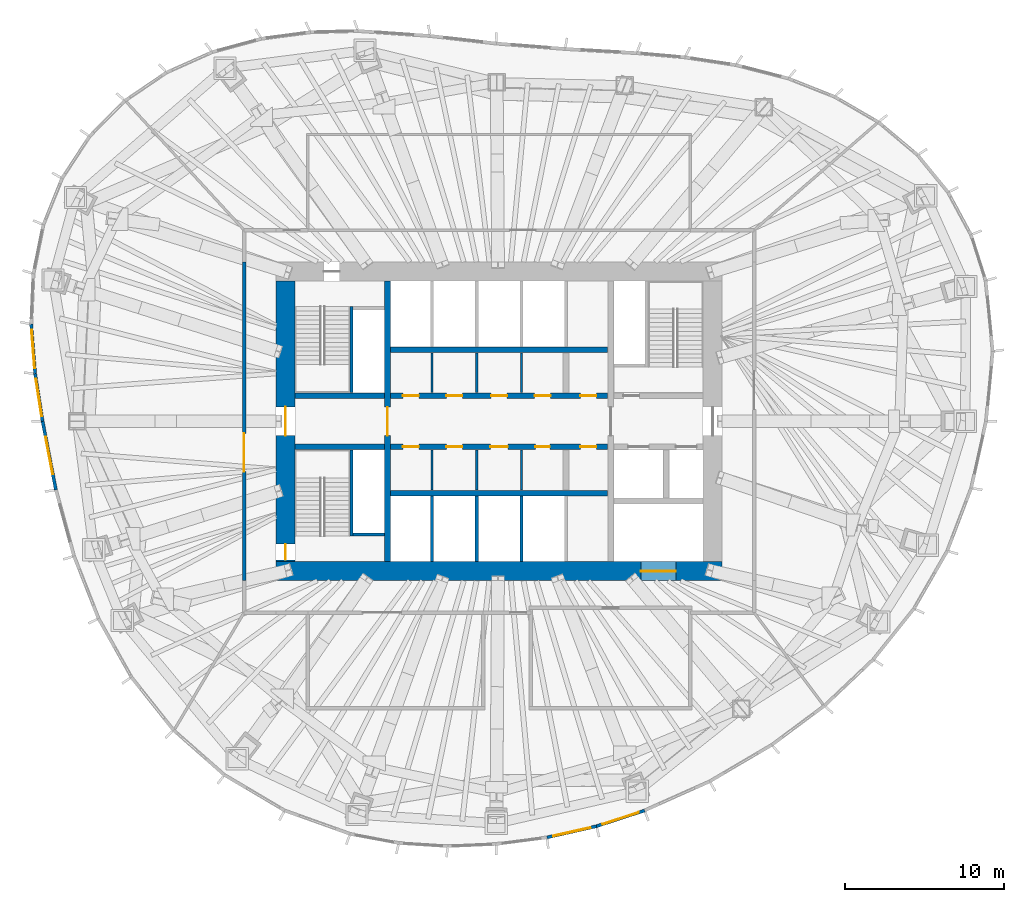
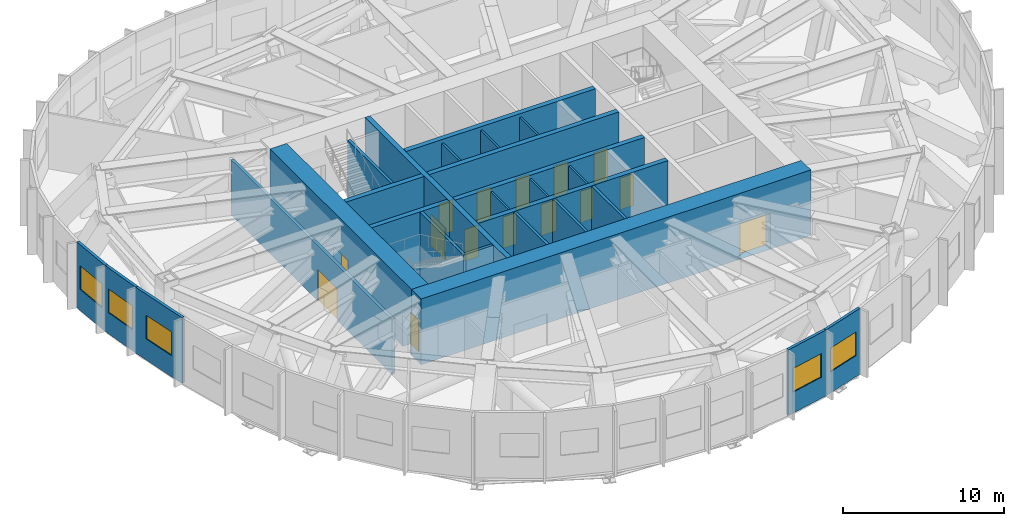
# One storey, part 7 of 12: 27 walls, 15 doors, 5 windows, 20 openings.
"""IFC4 building model written with IfcOpenShell, lengths in metres."""

from ifc_helpers import new_model, si_unit, direction, frame, frame_2d, origin, place, context, subcontext, project, spatial, rectangle, extrude, material, layer, layer_set, type_object, element, fill, save


model = new_model("IFC4")

# Units and contexts
model_context = context("Model", 3, precision=1e-05, world=origin(), true_north=direction((0.0, 1.0)))
body_context = subcontext(model_context, "Body", "Model", "MODEL_VIEW")
ifc_project = project(units=[si_unit("LENGTHUNIT", "METRE"), si_unit("AREAUNIT", "SQUARE_METRE"), si_unit("VOLUMEUNIT", "CUBIC_METRE"), si_unit("PLANEANGLEUNIT", "RADIAN"), si_unit("MASSUNIT", "GRAM", prefix="KILO")], contexts=[model_context])

# Site, building, storey
site_placement = place(None, origin())
site = spatial("IfcSite", under=ifc_project, at=site_placement, CompositionType="ELEMENT")
building_placement = place(site_placement, origin())
building = spatial("IfcBuilding", under=site, at=building_placement, Name="Ghaith Harvest Tower", CompositionType="ELEMENT")
storey_placement = place(building_placement, frame((0.0, 0.0, 189.800048828125)))
storey = spatial("IfcBuildingStorey", under=building, at=storey_placement, Name="L41", CompositionType="ELEMENT", Elevation=189.800048828125)

# Wall, opening, door
ifc_material_1 = material(Name="Concrete blockwork, 1-hour", Category="masonry")
ifc_layer_1 = layer(ifc_material_1, 0.215087890625)
ifc_layer_set_1 = layer_set([ifc_layer_1], Name="BLOCKWORK WALL 215")
wall_type_1 = type_object("IfcWallType", Name="BLOCKWORK WALL 215", PredefinedType="PARTITIONING", material=ifc_layer_set_1)
wall_1_placement = place(storey_placement, frame((-16.0, 10.0, 0.0), z_axis=(0.0, 0.0, 1.0), x_axis=(0.0, -1.0, 0.0)))
wall_1 = element("IfcWall", 1, at=wall_1_placement, inside=storey, type_object=wall_type_1, Name="Plant room wall L41", PredefinedType="PARTITIONING", context=body_context, shape_type="SweptSolid", body=[
    extrude(rectangle(XDim=20.0, YDim=0.215087890625, at=frame_2d((10.0, 0.0))), origin(), (0.0, 0.0, 1.0), 4.199951171875),
])
opening_1_placement = place(wall_1_placement, frame((10.75, 0.0, 0.0)))
opening_1 = element("IfcOpeningElement", 2, at=opening_1_placement, cuts=wall_1, Name="Opening 41-027", PredefinedType="OPENING", context=body_context, shape_type="SweptSolid", body=[
    extrude(rectangle(XDim=2.39990234375, YDim=2.39990234375, at=frame_2d((1.199951171875, 1.199951171875))), frame((0.0, 0.11767578125, 0.0), z_axis=(0.0, -1.0, 0.0), x_axis=(1.0, 0.0, 0.0)), (0.0, 0.0, 1.0), 0.235107421875),
])
ifc_material_2 = material(Name="Timber door", Category="wood")
door_type_1 = type_object("IfcDoorType", Name="D10 PLANT PAIR 2400x2400", OperationType="DOUBLE_DOOR_SINGLE_SWING", PredefinedType="DOOR", material=ifc_material_2)
door_1_placement = place(opening_1_placement, origin())
door_1 = element("IfcDoor", 3, at=door_1_placement, inside=storey, type_object=door_type_1, Name="Mechanical plant room west door", OperationType="DOUBLE_DOOR_SINGLE_SWING", OverallHeight=2.39990234375, OverallWidth=2.39990234375, PredefinedType="DOOR", context=body_context, shape_type="SweptSolid", body=[
    extrude(rectangle(XDim=2.39990234375, YDim=2.39990234375, at=frame_2d((1.199951171875, 1.199951171875))), frame((0.0, 0.02490234375, 0.0), z_axis=(0.0, -1.0, 0.0), x_axis=(1.0, 0.0, 0.0)), (0.0, 0.0, 1.0), 0.050048828125),
])
fill(opening_1, door_1)

# Walls
ifc_material_3 = material(Name="Concrete blockwork, fair-faced", Category="masonry")
ifc_layer_2 = layer(ifc_material_3, 0.139892578125)
ifc_layer_set_2 = layer_set([ifc_layer_2], Name="CORE PARTITION 140")
wall_type_2 = type_object("IfcWallType", Name="CORE PARTITION 140", PredefinedType="PARTITIONING", material=ifc_layer_set_2)
for number, where, z_axis, x_axis, name in (
    (4, (-4.199951171875, 1.800048828125, 0.0), (0.0, 0.0, 1.0), (0.0, 1.0, 0.0), "Core partition L41"),
    (5, (-1.39990234375, 1.800048828125, 0.0), (0.0, 0.0, 1.0), (0.0, 1.0, 0.0), "Core partition L41"),
    (6, (1.39990234375, 1.800048828125, 0.0), (0.0, 0.0, 1.0), (0.0, 1.0, 0.0), "Core partition L41"),
    (7, (-4.199951171875, -1.800048828125, 0.0), (0.0, 0.0, 1.0), (0.0, -1.0, 0.0), "Core partition L41"),
    (8, (-1.39990234375, -1.800048828125, 0.0), (0.0, 0.0, 1.0), (0.0, -1.0, 0.0), "Core partition L41"),
    (9, (1.39990234375, -1.800048828125, 0.0), (0.0, 0.0, 1.0), (0.0, -1.0, 0.0), "Core partition L41"),
):
    element("IfcWall", number, at=place(storey_placement, frame(where, z_axis=z_axis, x_axis=x_axis)), inside=storey, type_object=wall_type_2, Name=name, PredefinedType="PARTITIONING", context=body_context, shape_type="SweptSolid", body=[
        extrude(rectangle(XDim=2.5, YDim=0.139892578125, at=frame_2d((1.25, 0.0))), origin(), (0.0, 0.0, 1.0), 4.75),
    ])

# Wall, opening, door
ifc_material_4 = material(Name="Concrete C60/75", Category="concrete")
ifc_layer_3 = layer(ifc_material_4, 1.199951171875)
ifc_layer_set_3 = layer_set([ifc_layer_3], Name="CORE WALL CW1200 C60")
wall_type_3 = type_object("IfcWallType", Name="CORE WALL CW1200 C60", PredefinedType="SHEAR", material=ifc_layer_set_3)
wall_2_placement = place(storey_placement, frame((-14.0, -9.39990234375, 0.0), z_axis=(0.0, 0.0, 1.0), x_axis=(1.0, 0.0, 0.0)))
wall_2 = element("IfcWall", 10, at=wall_2_placement, inside=storey, type_object=wall_type_3, Name="Core wall S L41", PredefinedType="SHEAR", context=body_context, shape_type="SweptSolid", body=[
    extrude(rectangle(XDim=28.0, YDim=1.199951171875, at=frame_2d((14.0, 0.0))), origin(), (0.0, 0.0, 1.0), 5.0),
])
opening_2_placement = place(wall_2_placement, frame((22.89990234375, 0.0, 0.0)))
opening_2 = element("IfcOpeningElement", 11, at=opening_2_placement, cuts=wall_2, Name="Opening 41-020", PredefinedType="OPENING", context=body_context, shape_type="SweptSolid", body=[
    extrude(rectangle(XDim=2.199951171875, YDim=2.699951171875, at=frame_2d((1.10009765625, 1.35009765625))), frame((0.0, 0.60986328125, 0.0), z_axis=(0.0, -1.0, 0.0), x_axis=(1.0, 0.0, 0.0)), (0.0, 0.0, 1.0), 1.219970703125),
])
ifc_material_5 = material(Name="Steel fire door", Category="steel")
door_type_2 = type_object("IfcDoorType", Name="LD3 LANDING 2200x2700", OperationType="DOUBLE_DOOR_SLIDING", PredefinedType="DOOR", material=ifc_material_5)
door_2_placement = place(opening_2_placement, origin())
door_2 = element("IfcDoor", 12, at=door_2_placement, inside=storey, type_object=door_type_2, Name="Landing door, goods lift GL1", OperationType="DOUBLE_DOOR_SLIDING", OverallHeight=2.699951171875, OverallWidth=2.199951171875, PredefinedType="DOOR", context=body_context, shape_type="SweptSolid", body=[
    extrude(rectangle(XDim=2.199951171875, YDim=2.699951171875, at=frame_2d((1.10009765625, 1.35009765625))), frame((0.0, 0.02490234375, 0.0), z_axis=(0.0, -1.0, 0.0), x_axis=(1.0, 0.0, 0.0)), (0.0, 0.0, 1.0), 0.050048828125),
])
fill(opening_2, door_2)

# Wall, openings, doors
wall_3_placement = place(storey_placement, frame((-13.39990234375, 8.800048828125, 0.0), z_axis=(0.0, 0.0, 1.0), x_axis=(0.0, -1.0, 0.0)))
wall_3 = element("IfcWall", 13, at=wall_3_placement, inside=storey, type_object=wall_type_3, Name="Core wall W L41", PredefinedType="SHEAR", context=body_context, shape_type="SweptSolid", body=[
    extrude(rectangle(XDim=17.60009765625, YDim=1.199951171875, at=frame_2d((8.800048828125, 0.0))), origin(), (0.0, 0.0, 1.0), 5.0),
])
opening_3_placement = place(wall_3_placement, frame((7.89990234375, 0.0, 0.0)))
opening_3 = element("IfcOpeningElement", 14, at=opening_3_placement, cuts=wall_3, Name="Opening 41-001", PredefinedType="OPENING", context=body_context, shape_type="SweptSolid", body=[
    extrude(rectangle(XDim=1.800048828125, YDim=2.39990234375, at=frame_2d((0.89990234375, 1.199951171875))), frame((0.0, 0.60986328125, 0.0), z_axis=(0.0, -1.0, 0.0), x_axis=(1.0, 0.0, 0.0)), (0.0, 0.0, 1.0), 1.219970703125),
])
opening_4_placement = place(wall_3_placement, frame((16.5, 0.0, 0.0)))
opening_4 = element("IfcOpeningElement", 15, at=opening_4_placement, cuts=wall_3, Name="Opening 41-006", PredefinedType="OPENING", context=body_context, shape_type="SweptSolid", body=[
    extrude(rectangle(XDim=1.0, YDim=2.39990234375, at=frame_2d((0.5, 1.199951171875))), frame((0.0, 0.60986328125, 0.0), z_axis=(0.0, -1.0, 0.0), x_axis=(1.0, 0.0, 0.0)), (0.0, 0.0, 1.0), 1.219970703125),
])
ifc_material_6 = material(Name="Steel fire door", Category="steel")
door_type_3 = type_object("IfcDoorType", Name="D3 FD90 1000x2400", OperationType="SINGLE_SWING_LEFT", PredefinedType="DOOR", material=ifc_material_6)
door_3_placement = place(opening_4_placement, origin())
door_3 = element("IfcDoor", 16, at=door_3_placement, inside=storey, type_object=door_type_3, Name="Stair ST3 door", OperationType="SINGLE_SWING_RIGHT", OverallHeight=2.39990234375, OverallWidth=1.0, PredefinedType="DOOR", context=body_context, shape_type="SweptSolid", body=[
    extrude(rectangle(XDim=1.0, YDim=2.39990234375, at=frame_2d((0.5, 1.199951171875))), frame((0.0, 0.02490234375, 0.0), z_axis=(0.0, -1.0, 0.0), x_axis=(1.0, 0.0, 0.0)), (0.0, 0.0, 1.0), 0.050048828125),
])
fill(opening_4, door_3)
ifc_material_7 = material(Name="Steel fire door", Category="steel")
door_type_4 = type_object("IfcDoorType", Name="D4 FD90 PAIR 1800x2400", OperationType="DOUBLE_DOOR_SINGLE_SWING", PredefinedType="DOOR", material=ifc_material_7)
door_4_placement = place(opening_3_placement, origin())
door_4 = element("IfcDoor", 17, at=door_4_placement, inside=storey, type_object=door_type_4, Name="West lobby doors", OperationType="DOUBLE_DOOR_SINGLE_SWING", OverallHeight=2.39990234375, OverallWidth=1.800048828125, PredefinedType="DOOR", context=body_context, shape_type="SweptSolid", body=[
    extrude(rectangle(XDim=1.800048828125, YDim=2.39990234375, at=frame_2d((0.89990234375, 1.199951171875))), frame((0.0, 0.02490234375, 0.0), z_axis=(0.0, -1.0, 0.0), x_axis=(1.0, 0.0, 0.0)), (0.0, 0.0, 1.0), 0.050048828125),
])
fill(opening_3, door_4)

# Walls
ifc_material_8 = material(Name="Concrete blockwork, 2-hour", Category="masonry")
ifc_layer_4 = layer(ifc_material_8, 0.199951171875)
ifc_layer_set_4 = layer_set([ifc_layer_4], Name="LIFT SHAFT WALL 200")
wall_type_4 = type_object("IfcWallType", Name="LIFT SHAFT WALL 200", PredefinedType="PARTITIONING", material=ifc_layer_set_4)
for number, where, z_axis, x_axis, name in (
    (18, (-4.199951171875, -4.699951171875, 0.0), (0.0, 0.0, 1.0), (0.0, -1.0, 0.0), "Lift shaft wall L41"),
    (19, (-1.39990234375, -4.699951171875, 0.0), (0.0, 0.0, 1.0), (0.0, -1.0, 0.0), "Lift shaft wall L41"),
    (20, (1.39990234375, -4.699951171875, 0.0), (0.0, 0.0, 1.0), (0.0, -1.0, 0.0), "Lift shaft wall L41"),
):
    element("IfcWall", number, at=place(storey_placement, frame(where, z_axis=z_axis, x_axis=x_axis)), inside=storey, type_object=wall_type_4, Name=name, PredefinedType="PARTITIONING", context=body_context, shape_type="SweptSolid", body=[
        extrude(rectangle(XDim=4.10009765625, YDim=0.199951171875, at=frame_2d((2.050048828125, 0.0))), origin(), (0.0, 0.0, 1.0), 5.0),
    ])

# Wall, opening, window
ifc_material_9 = material(Name="Steel, black insulated metal cladding panel", Category="steel")
ifc_layer_5 = layer(ifc_material_9, 0.199951171875)
ifc_layer_set_5 = layer_set([ifc_layer_5], Name="PLANT ENCLOSURE WALL 200")
wall_type_5 = type_object("IfcWallType", Name="PLANT ENCLOSURE WALL 200", PredefinedType="SOLIDWALL", material=ifc_layer_set_5)
wall_4_placement = place(storey_placement, frame((-29.3583984375, 6.092041015625, 0.0), z_axis=(0.0, 0.0, 1.0), x_axis=(0.079436660972, -0.996839915379, 0.0)))
wall_4 = element("IfcWall", 21, at=wall_4_placement, inside=storey, type_object=wall_type_5, Name="Plant enclosure wall 10.2 L41", PredefinedType="SOLIDWALL", context=body_context, shape_type="SweptSolid", body=[
    extrude(rectangle(XDim=3.11328125, YDim=0.199951171875, at=frame_2d((1.556640625, 0.0))), origin(), (0.0, 0.0, 1.0), 5.0),
])
opening_5_placement = place(wall_4_placement, frame((0.356689453125, 0.0, 1.60009765625)))
opening_5 = element("IfcOpeningElement", 22, at=opening_5_placement, cuts=wall_4, Name="Opening LV1", PredefinedType="OPENING", context=body_context, shape_type="SweptSolid", body=[
    extrude(rectangle(XDim=2.39990234375, YDim=1.800048828125, at=frame_2d((1.199951171875, 0.89990234375))), frame((0.0, 0.10986328125, 0.0), z_axis=(0.0, -1.0, 0.0), x_axis=(1.0, 0.0, 0.0)), (0.0, 0.0, 1.0), 0.219970703125),
])
ifc_material_10 = material(Name="Aluminium louvre, black", Category="aluminium")
window_type = type_object("IfcWindowType", Name="LOUVRE L1 2400x1800", PartitioningType="SINGLE_PANEL", PredefinedType="WINDOW", material=ifc_material_10)
window_1_placement = place(opening_5_placement, origin())
window_1 = element("IfcWindow", 23, at=window_1_placement, inside=storey, type_object=window_type, Name="Plant louvre 10.2 L41", OverallHeight=1.800048828125, OverallWidth=2.39990234375, PartitioningType="SINGLE_PANEL", PredefinedType="WINDOW", context=body_context, shape_type="SweptSolid", body=[
    extrude(rectangle(XDim=2.39990234375, YDim=1.800048828125, at=frame_2d((1.199951171875, 0.89990234375))), frame((0.0, 0.030029296875, 0.0), z_axis=(0.0, -1.0, 0.0), x_axis=(1.0, 0.0, 0.0)), (0.0, 0.0, 1.0), 0.06005859375),
])
fill(opening_5, window_1)

wall_5_placement = place(storey_placement, frame((-29.111083984375, 2.988525390625, 0.0), z_axis=(0.0, 0.0, 1.0), x_axis=(0.155270461843, -0.987871997619, 0.0)))
wall_5 = element("IfcWall", 24, at=wall_5_placement, inside=storey, type_object=wall_type_5, Name="Plant enclosure wall 10.3 L41", PredefinedType="SOLIDWALL", context=body_context, shape_type="SweptSolid", body=[
    extrude(rectangle(XDim=3.025146484375, YDim=0.199951171875, at=frame_2d((1.5126953125, 0.0))), origin(), (0.0, 0.0, 1.0), 5.0),
])
opening_6_placement = place(wall_5_placement, frame((0.3125, 0.0, 1.60009765625)))
opening_6 = element("IfcOpeningElement", 25, at=opening_6_placement, cuts=wall_5, Name="Opening LV1", PredefinedType="OPENING", context=body_context, shape_type="SweptSolid", body=[
    extrude(rectangle(XDim=2.39990234375, YDim=1.800048828125, at=frame_2d((1.199951171875, 0.89990234375))), frame((0.0, 0.10986328125, 0.0), z_axis=(0.0, -1.0, 0.0), x_axis=(1.0, 0.0, 0.0)), (0.0, 0.0, 1.0), 0.219970703125),
])
window_2_placement = place(opening_6_placement, origin())
window_2 = element("IfcWindow", 26, at=window_2_placement, inside=storey, type_object=window_type, Name="Plant louvre 10.3 L41", OverallHeight=1.800048828125, OverallWidth=2.39990234375, PartitioningType="SINGLE_PANEL", PredefinedType="WINDOW", context=body_context, shape_type="SweptSolid", body=[
    extrude(rectangle(XDim=2.39990234375, YDim=1.800048828125, at=frame_2d((1.199951171875, 0.89990234375))), frame((0.0, 0.030029296875, 0.0), z_axis=(0.0, -1.0, 0.0), x_axis=(1.0, 0.0, 0.0)), (0.0, 0.0, 1.0), 0.06005859375),
])
fill(opening_6, window_2)

wall_6_placement = place(storey_placement, frame((-28.641357421875, 0.0, 0.0), z_axis=(0.0, 0.0, 1.0), x_axis=(0.190143198286, -0.981756367, 0.0)))
wall_6 = element("IfcWall", 27, at=wall_6_placement, inside=storey, type_object=wall_type_5, Name="Plant enclosure wall 11.1 L41", PredefinedType="SOLIDWALL", context=body_context, shape_type="SweptSolid", body=[
    extrude(rectangle(XDim=4.380859375, YDim=0.199951171875, at=frame_2d((2.1904296875, 0.0))), origin(), (0.0, 0.0, 1.0), 5.0),
])
opening_7_placement = place(wall_6_placement, frame((0.990478515625, 0.0, 1.60009765625)))
opening_7 = element("IfcOpeningElement", 28, at=opening_7_placement, cuts=wall_6, Name="Opening LV1", PredefinedType="OPENING", context=body_context, shape_type="SweptSolid", body=[
    extrude(rectangle(XDim=2.39990234375, YDim=1.800048828125, at=frame_2d((1.199951171875, 0.89990234375))), frame((0.0, 0.10986328125, 0.0), z_axis=(0.0, -1.0, 0.0), x_axis=(1.0, 0.0, 0.0)), (0.0, 0.0, 1.0), 0.219970703125),
])
window_3_placement = place(opening_7_placement, origin())
window_3 = element("IfcWindow", 29, at=window_3_placement, inside=storey, type_object=window_type, Name="Plant louvre 11.1 L41", OverallHeight=1.800048828125, OverallWidth=2.39990234375, PartitioningType="SINGLE_PANEL", PredefinedType="WINDOW", context=body_context, shape_type="SweptSolid", body=[
    extrude(rectangle(XDim=2.39990234375, YDim=1.800048828125, at=frame_2d((1.199951171875, 0.89990234375))), frame((0.0, 0.030029296875, 0.0), z_axis=(0.0, -1.0, 0.0), x_axis=(1.0, 0.0, 0.0)), (0.0, 0.0, 1.0), 0.06005859375),
])
fill(opening_7, window_3)

wall_7_placement = place(storey_placement, frame((3.007568359375, -26.109375, 0.0), z_axis=(0.0, 0.0, 1.0), x_axis=(0.975334154782, 0.22073351924, 0.0)))
wall_7 = element("IfcWall", 30, at=wall_7_placement, inside=storey, type_object=wall_type_5, Name="Plant enclosure wall 16.2 L41", PredefinedType="SOLIDWALL", context=body_context, shape_type="SweptSolid", body=[
    extrude(rectangle(XDim=3.1865234375, YDim=0.199951171875, at=frame_2d((1.59326171875, 0.0))), origin(), (0.0, 0.0, 1.0), 5.0),
])
opening_8_placement = place(wall_7_placement, frame((0.393310546875, 0.0, 1.60009765625)))
opening_8 = element("IfcOpeningElement", 31, at=opening_8_placement, cuts=wall_7, Name="Opening LV1", PredefinedType="OPENING", context=body_context, shape_type="SweptSolid", body=[
    extrude(rectangle(XDim=2.39990234375, YDim=1.800048828125, at=frame_2d((1.199951171875, 0.89990234375))), frame((0.0, 0.10986328125, 0.0), z_axis=(0.0, -1.0, 0.0), x_axis=(1.0, 0.0, 0.0)), (0.0, 0.0, 1.0), 0.219970703125),
])
window_4_placement = place(opening_8_placement, origin())
window_4 = element("IfcWindow", 32, at=window_4_placement, inside=storey, type_object=window_type, Name="Plant louvre 16.2 L41", OverallHeight=1.800048828125, OverallWidth=2.39990234375, PartitioningType="SINGLE_PANEL", PredefinedType="WINDOW", context=body_context, shape_type="SweptSolid", body=[
    extrude(rectangle(XDim=2.39990234375, YDim=1.800048828125, at=frame_2d((1.199951171875, 0.89990234375))), frame((0.0, 0.030029296875, 0.0), z_axis=(0.0, -1.0, 0.0), x_axis=(1.0, 0.0, 0.0)), (0.0, 0.0, 1.0), 0.06005859375),
])
fill(opening_8, window_4)

wall_8_placement = place(storey_placement, frame((6.115478515625, -25.406005859375, 0.0), z_axis=(0.0, 0.0, 1.0), x_axis=(0.950462081754, 0.310840523658, 0.0)))
wall_8 = element("IfcWall", 33, at=wall_8_placement, inside=storey, type_object=wall_type_5, Name="Plant enclosure wall 16.3 L41", PredefinedType="SOLIDWALL", context=body_context, shape_type="SweptSolid", body=[
    extrude(rectangle(XDim=3.170654296875, YDim=0.199951171875, at=frame_2d((1.58544921875, 0.0))), origin(), (0.0, 0.0, 1.0), 5.0),
])
opening_9_placement = place(wall_8_placement, frame((0.385498046875, 0.0, 1.60009765625)))
opening_9 = element("IfcOpeningElement", 34, at=opening_9_placement, cuts=wall_8, Name="Opening LV1", PredefinedType="OPENING", context=body_context, shape_type="SweptSolid", body=[
    extrude(rectangle(XDim=2.39990234375, YDim=1.800048828125, at=frame_2d((1.199951171875, 0.89990234375))), frame((0.0, 0.10986328125, 0.0), z_axis=(0.0, -1.0, 0.0), x_axis=(1.0, 0.0, 0.0)), (0.0, 0.0, 1.0), 0.219970703125),
])
window_5_placement = place(opening_9_placement, origin())
window_5 = element("IfcWindow", 35, at=window_5_placement, inside=storey, type_object=window_type, Name="Plant louvre 16.3 L41", OverallHeight=1.800048828125, OverallWidth=2.39990234375, PartitioningType="SINGLE_PANEL", PredefinedType="WINDOW", context=body_context, shape_type="SweptSolid", body=[
    extrude(rectangle(XDim=2.39990234375, YDim=1.800048828125, at=frame_2d((1.199951171875, 0.89990234375))), frame((0.0, 0.030029296875, 0.0), z_axis=(0.0, -1.0, 0.0), x_axis=(1.0, 0.0, 0.0)), (0.0, 0.0, 1.0), 0.06005859375),
])
fill(opening_9, window_5)

# Wall, opening, door
ifc_material_11 = material(Name="Concrete C60/75", Category="concrete")
ifc_layer_6 = layer(ifc_material_11, 0.35009765625)
ifc_layer_set_6 = layer_set([ifc_layer_6], Name="SHAFT WALL 350")
wall_type_6 = type_object("IfcWallType", Name="SHAFT WALL 350", PredefinedType="SHEAR", material=ifc_layer_set_6)
wall_9_placement = place(storey_placement, frame((-7.0, -8.800048828125, 0.0), z_axis=(0.0, 0.0, 1.0), x_axis=(0.0, 1.0, 0.0)))
wall_9 = element("IfcWall", 36, at=wall_9_placement, inside=storey, type_object=wall_type_6, Name="Shaft wall W7W L41", PredefinedType="SHEAR", context=body_context, shape_type="SweptSolid", body=[
    extrude(rectangle(XDim=17.60009765625, YDim=0.35009765625, at=frame_2d((8.800048828125, 0.0))), origin(), (0.0, 0.0, 1.0), 5.0),
])
opening_10_placement = place(wall_9_placement, frame((7.89990234375, 0.0, 0.0)))
opening_10 = element("IfcOpeningElement", 37, at=opening_10_placement, cuts=wall_9, Name="Opening 41-003", PredefinedType="OPENING", context=body_context, shape_type="SweptSolid", body=[
    extrude(rectangle(XDim=1.800048828125, YDim=2.39990234375, at=frame_2d((0.89990234375, 1.199951171875))), frame((0.0, 0.18505859375, 0.0), z_axis=(0.0, -1.0, 0.0), x_axis=(1.0, 0.0, 0.0)), (0.0, 0.0, 1.0), 0.3701171875),
])
door_5_placement = place(opening_10_placement, origin())
door_5 = element("IfcDoor", 38, at=door_5_placement, inside=storey, type_object=door_type_4, Name="Lift lobby doors, west", OperationType="DOUBLE_DOOR_SINGLE_SWING", OverallHeight=2.39990234375, OverallWidth=1.800048828125, PredefinedType="DOOR", context=body_context, shape_type="SweptSolid", body=[
    extrude(rectangle(XDim=1.800048828125, YDim=2.39990234375, at=frame_2d((0.89990234375, 1.199951171875))), frame((0.0, 0.02490234375, 0.0), z_axis=(0.0, -1.0, 0.0), x_axis=(1.0, 0.0, 0.0)), (0.0, 0.0, 1.0), 0.050048828125),
])
fill(opening_10, door_5)

# Wall, openings, doors
wall_10_placement = place(storey_placement, frame((-6.800048828125, 1.60009765625, 0.0), z_axis=(0.0, 0.0, 1.0), x_axis=(1.0, 0.0, 0.0)))
wall_10 = element("IfcWall", 39, at=wall_10_placement, inside=storey, type_object=wall_type_6, Name="Shaft wall LN L41", PredefinedType="SHEAR", context=body_context, shape_type="SweptSolid", body=[
    extrude(rectangle(XDim=13.60009765625, YDim=0.35009765625, at=frame_2d((6.800048828125, 0.0))), origin(), (0.0, 0.0, 1.0), 5.0),
])
opening_11_placement = place(wall_10_placement, frame((0.764892578125, 0.0, 0.0)))
opening_11 = element("IfcOpeningElement", 40, at=opening_11_placement, cuts=wall_10, Name="Opening 41-012", PredefinedType="OPENING", context=body_context, shape_type="SweptSolid", body=[
    extrude(rectangle(XDim=1.0, YDim=2.39990234375, at=frame_2d((0.5, 1.199951171875))), frame((0.0, 0.18505859375, 0.0), z_axis=(0.0, -1.0, 0.0), x_axis=(1.0, 0.0, 0.0)), (0.0, 0.0, 1.0), 0.3701171875),
])
opening_12_placement = place(wall_10_placement, frame((3.5, 0.0, 0.0)))
opening_12 = element("IfcOpeningElement", 41, at=opening_12_placement, cuts=wall_10, Name="Opening 41-013", PredefinedType="OPENING", context=body_context, shape_type="SweptSolid", body=[
    extrude(rectangle(XDim=1.0, YDim=2.39990234375, at=frame_2d((0.5, 1.199951171875))), frame((0.0, 0.18505859375, 0.0), z_axis=(0.0, -1.0, 0.0), x_axis=(1.0, 0.0, 0.0)), (0.0, 0.0, 1.0), 0.3701171875),
])
opening_13_placement = place(wall_10_placement, frame((6.300048828125, 0.0, 0.0)))
opening_13 = element("IfcOpeningElement", 42, at=opening_13_placement, cuts=wall_10, Name="Opening 41-014", PredefinedType="OPENING", context=body_context, shape_type="SweptSolid", body=[
    extrude(rectangle(XDim=1.0, YDim=2.39990234375, at=frame_2d((0.5, 1.199951171875))), frame((0.0, 0.18505859375, 0.0), z_axis=(0.0, -1.0, 0.0), x_axis=(1.0, 0.0, 0.0)), (0.0, 0.0, 1.0), 0.3701171875),
])
opening_14_placement = place(wall_10_placement, frame((9.034912109375, 0.0, 0.0)))
opening_14 = element("IfcOpeningElement", 43, at=opening_14_placement, cuts=wall_10, Name="Opening 41-015", PredefinedType="OPENING", context=body_context, shape_type="SweptSolid", body=[
    extrude(rectangle(XDim=1.0, YDim=2.39990234375, at=frame_2d((0.5, 1.199951171875))), frame((0.0, 0.18505859375, 0.0), z_axis=(0.0, -1.0, 0.0), x_axis=(1.0, 0.0, 0.0)), (0.0, 0.0, 1.0), 0.3701171875),
])
opening_15_placement = place(wall_10_placement, frame((11.89990234375, 0.0, 0.0)))
opening_15 = element("IfcOpeningElement", 44, at=opening_15_placement, cuts=wall_10, Name="Opening 41-016", PredefinedType="OPENING", context=body_context, shape_type="SweptSolid", body=[
    extrude(rectangle(XDim=1.0, YDim=2.39990234375, at=frame_2d((0.5, 1.199951171875))), frame((0.0, 0.18505859375, 0.0), z_axis=(0.0, -1.0, 0.0), x_axis=(1.0, 0.0, 0.0)), (0.0, 0.0, 1.0), 0.3701171875),
])
door_6_placement = place(opening_11_placement, origin())
door_6 = element("IfcDoor", 45, at=door_6_placement, inside=storey, type_object=door_type_3, Name="Electrical room door", OperationType="SINGLE_SWING_LEFT", OverallHeight=2.39990234375, OverallWidth=1.0, PredefinedType="DOOR", context=body_context, shape_type="SweptSolid", body=[
    extrude(rectangle(XDim=1.0, YDim=2.39990234375, at=frame_2d((0.5, 1.199951171875))), frame((0.0, 0.02490234375, 0.0), z_axis=(0.0, -1.0, 0.0), x_axis=(1.0, 0.0, 0.0)), (0.0, 0.0, 1.0), 0.050048828125),
])
fill(opening_11, door_6)
door_7_placement = place(opening_12_placement, origin())
door_7 = element("IfcDoor", 46, at=door_7_placement, inside=storey, type_object=door_type_3, Name="Communications equipment room door", OperationType="SINGLE_SWING_LEFT", OverallHeight=2.39990234375, OverallWidth=1.0, PredefinedType="DOOR", context=body_context, shape_type="SweptSolid", body=[
    extrude(rectangle(XDim=1.0, YDim=2.39990234375, at=frame_2d((0.5, 1.199951171875))), frame((0.0, 0.02490234375, 0.0), z_axis=(0.0, -1.0, 0.0), x_axis=(1.0, 0.0, 0.0)), (0.0, 0.0, 1.0), 0.050048828125),
])
fill(opening_12, door_7)
door_8_placement = place(opening_13_placement, origin())
door_8 = element("IfcDoor", 47, at=door_8_placement, inside=storey, type_object=door_type_3, Name="Mechanical plant room door", OperationType="SINGLE_SWING_LEFT", OverallHeight=2.39990234375, OverallWidth=1.0, PredefinedType="DOOR", context=body_context, shape_type="SweptSolid", body=[
    extrude(rectangle(XDim=1.0, YDim=2.39990234375, at=frame_2d((0.5, 1.199951171875))), frame((0.0, 0.02490234375, 0.0), z_axis=(0.0, -1.0, 0.0), x_axis=(1.0, 0.0, 0.0)), (0.0, 0.0, 1.0), 0.050048828125),
])
fill(opening_13, door_8)
door_9_placement = place(opening_14_placement, origin())
door_9 = element("IfcDoor", 48, at=door_9_placement, inside=storey, type_object=door_type_3, Name="Electrical switch room door", OperationType="SINGLE_SWING_RIGHT", OverallHeight=2.39990234375, OverallWidth=1.0, PredefinedType="DOOR", context=body_context, shape_type="SweptSolid", body=[
    extrude(rectangle(XDim=1.0, YDim=2.39990234375, at=frame_2d((0.5, 1.199951171875))), frame((0.0, 0.02490234375, 0.0), z_axis=(0.0, -1.0, 0.0), x_axis=(1.0, 0.0, 0.0)), (0.0, 0.0, 1.0), 0.050048828125),
])
fill(opening_14, door_9)
door_10_placement = place(opening_15_placement, origin())
door_10 = element("IfcDoor", 49, at=door_10_placement, inside=storey, type_object=door_type_3, Name="Mechanical plant room door", OperationType="SINGLE_SWING_RIGHT", OverallHeight=2.39990234375, OverallWidth=1.0, PredefinedType="DOOR", context=body_context, shape_type="SweptSolid", body=[
    extrude(rectangle(XDim=1.0, YDim=2.39990234375, at=frame_2d((0.5, 1.199951171875))), frame((0.0, 0.02490234375, 0.0), z_axis=(0.0, -1.0, 0.0), x_axis=(1.0, 0.0, 0.0)), (0.0, 0.0, 1.0), 0.050048828125),
])
fill(opening_15, door_10)

wall_11_placement = place(storey_placement, frame((-6.800048828125, -1.60009765625, 0.0), z_axis=(0.0, 0.0, 1.0), x_axis=(1.0, 0.0, 0.0)))
wall_11 = element("IfcWall", 50, at=wall_11_placement, inside=storey, type_object=wall_type_6, Name="Shaft wall LS L41", PredefinedType="SHEAR", context=body_context, shape_type="SweptSolid", body=[
    extrude(rectangle(XDim=13.60009765625, YDim=0.35009765625, at=frame_2d((6.800048828125, 0.0))), origin(), (0.0, 0.0, 1.0), 5.0),
])
opening_16_placement = place(wall_11_placement, frame((0.764892578125, 0.0, 0.0)))
opening_16 = element("IfcOpeningElement", 51, at=opening_16_placement, cuts=wall_11, Name="Opening 41-008", PredefinedType="OPENING", context=body_context, shape_type="SweptSolid", body=[
    extrude(rectangle(XDim=1.0, YDim=2.39990234375, at=frame_2d((0.5, 1.199951171875))), frame((0.0, 0.18505859375, 0.0), z_axis=(0.0, -1.0, 0.0), x_axis=(1.0, 0.0, 0.0)), (0.0, 0.0, 1.0), 0.3701171875),
])
opening_17_placement = place(wall_11_placement, frame((3.5, 0.0, 0.0)))
opening_17 = element("IfcOpeningElement", 52, at=opening_17_placement, cuts=wall_11, Name="Opening 41-009", PredefinedType="OPENING", context=body_context, shape_type="SweptSolid", body=[
    extrude(rectangle(XDim=1.0, YDim=2.39990234375, at=frame_2d((0.5, 1.199951171875))), frame((0.0, 0.18505859375, 0.0), z_axis=(0.0, -1.0, 0.0), x_axis=(1.0, 0.0, 0.0)), (0.0, 0.0, 1.0), 0.3701171875),
])
opening_18_placement = place(wall_11_placement, frame((6.25, 0.0, 0.0)))
opening_18 = element("IfcOpeningElement", 53, at=opening_18_placement, cuts=wall_11, Name="Opening 41-010", PredefinedType="OPENING", context=body_context, shape_type="SweptSolid", body=[
    extrude(rectangle(XDim=1.10009765625, YDim=2.39990234375, at=frame_2d((0.550048828125, 1.199951171875))), frame((0.0, 0.18505859375, 0.0), z_axis=(0.0, -1.0, 0.0), x_axis=(1.0, 0.0, 0.0)), (0.0, 0.0, 1.0), 0.3701171875),
])
opening_19_placement = place(wall_11_placement, frame((9.0849609375, 0.0, 0.0)))
opening_19 = element("IfcOpeningElement", 54, at=opening_19_placement, cuts=wall_11, Name="Opening 41-011", PredefinedType="OPENING", context=body_context, shape_type="SweptSolid", body=[
    extrude(rectangle(XDim=0.89990234375, YDim=2.39990234375, at=frame_2d((0.449951171875, 1.199951171875))), frame((0.0, 0.18505859375, 0.0), z_axis=(0.0, -1.0, 0.0), x_axis=(1.0, 0.0, 0.0)), (0.0, 0.0, 1.0), 0.3701171875),
])
opening_20_placement = place(wall_11_placement, frame((11.89990234375, 0.0, 0.0)))
opening_20 = element("IfcOpeningElement", 55, at=opening_20_placement, cuts=wall_11, Name="Opening 41-017", PredefinedType="OPENING", context=body_context, shape_type="SweptSolid", body=[
    extrude(rectangle(XDim=1.0, YDim=2.39990234375, at=frame_2d((0.5, 1.199951171875))), frame((0.0, 0.18505859375, 0.0), z_axis=(0.0, -1.0, 0.0), x_axis=(1.0, 0.0, 0.0)), (0.0, 0.0, 1.0), 0.3701171875),
])
door_11_placement = place(opening_16_placement, origin())
door_11 = element("IfcDoor", 56, at=door_11_placement, inside=storey, type_object=door_type_3, Name="Male WC door", OperationType="SINGLE_SWING_LEFT", OverallHeight=2.39990234375, OverallWidth=1.0, PredefinedType="DOOR", context=body_context, shape_type="SweptSolid", body=[
    extrude(rectangle(XDim=1.0, YDim=2.39990234375, at=frame_2d((0.5, 1.199951171875))), frame((0.0, 0.02490234375, 0.0), z_axis=(0.0, -1.0, 0.0), x_axis=(1.0, 0.0, 0.0)), (0.0, 0.0, 1.0), 0.050048828125),
])
fill(opening_16, door_11)
door_12_placement = place(opening_17_placement, origin())
door_12 = element("IfcDoor", 57, at=door_12_placement, inside=storey, type_object=door_type_3, Name="Female WC door", OperationType="SINGLE_SWING_LEFT", OverallHeight=2.39990234375, OverallWidth=1.0, PredefinedType="DOOR", context=body_context, shape_type="SweptSolid", body=[
    extrude(rectangle(XDim=1.0, YDim=2.39990234375, at=frame_2d((0.5, 1.199951171875))), frame((0.0, 0.02490234375, 0.0), z_axis=(0.0, -1.0, 0.0), x_axis=(1.0, 0.0, 0.0)), (0.0, 0.0, 1.0), 0.050048828125),
])
fill(opening_17, door_12)
door_13_placement = place(opening_20_placement, origin())
door_13 = element("IfcDoor", 58, at=door_13_placement, inside=storey, type_object=door_type_3, Name="Mechanical plant room door", OperationType="SINGLE_SWING_RIGHT", OverallHeight=2.39990234375, OverallWidth=1.0, PredefinedType="DOOR", context=body_context, shape_type="SweptSolid", body=[
    extrude(rectangle(XDim=1.0, YDim=2.39990234375, at=frame_2d((0.5, 1.199951171875))), frame((0.0, 0.02490234375, 0.0), z_axis=(0.0, -1.0, 0.0), x_axis=(1.0, 0.0, 0.0)), (0.0, 0.0, 1.0), 0.050048828125),
])
fill(opening_20, door_13)
ifc_material_12 = material(Name="Steel fire door", Category="steel")
door_type_5 = type_object("IfcDoorType", Name="D5 FD90 900x2400", OperationType="SINGLE_SWING_LEFT", PredefinedType="DOOR", material=ifc_material_12)
door_14_placement = place(opening_19_placement, origin())
door_14 = element("IfcDoor", 59, at=door_14_placement, inside=storey, type_object=door_type_5, Name="Cleaner's store door", OperationType="SINGLE_SWING_RIGHT", OverallHeight=2.39990234375, OverallWidth=0.89990234375, PredefinedType="DOOR", context=body_context, shape_type="SweptSolid", body=[
    extrude(rectangle(XDim=0.89990234375, YDim=2.39990234375, at=frame_2d((0.449951171875, 1.199951171875))), frame((0.0, 0.02490234375, 0.0), z_axis=(0.0, -1.0, 0.0), x_axis=(1.0, 0.0, 0.0)), (0.0, 0.0, 1.0), 0.050048828125),
])
fill(opening_19, door_14)
ifc_material_13 = material(Name="Steel fire door", Category="steel")
door_type_6 = type_object("IfcDoorType", Name="D9 FD90 1100x2400", OperationType="SINGLE_SWING_LEFT", PredefinedType="DOOR", material=ifc_material_13)
door_15_placement = place(opening_18_placement, origin())
door_15 = element("IfcDoor", 60, at=door_15_placement, inside=storey, type_object=door_type_6, Name="Accessible WC door", OperationType="SINGLE_SWING_LEFT", OverallHeight=2.39990234375, OverallWidth=1.10009765625, PredefinedType="DOOR", context=body_context, shape_type="SweptSolid", body=[
    extrude(rectangle(XDim=1.10009765625, YDim=2.39990234375, at=frame_2d((0.550048828125, 1.199951171875))), frame((0.0, 0.02490234375, 0.0), z_axis=(0.0, -1.0, 0.0), x_axis=(1.0, 0.0, 0.0)), (0.0, 0.0, 1.0), 0.050048828125),
])
fill(opening_18, door_15)

# Walls
for number, where, z_axis, x_axis, name in (
    (61, (-6.800048828125, 4.5, 0.0), (0.0, 0.0, 1.0), (1.0, 0.0, 0.0), "Shaft wall BN L41"),
    (62, (-6.800048828125, -4.5, 0.0), (0.0, 0.0, 1.0), (1.0, 0.0, 0.0), "Shaft wall BS L41"),
):
    element("IfcWall", number, at=place(storey_placement, frame(where, z_axis=z_axis, x_axis=x_axis)), inside=storey, type_object=wall_type_6, Name=name, PredefinedType="SHEAR", context=body_context, shape_type="SweptSolid", body=[
        extrude(rectangle(XDim=13.60009765625, YDim=0.35009765625, at=frame_2d((6.800048828125, 0.0))), origin(), (0.0, 0.0, 1.0), 5.0),
    ])
for number, where, z_axis, x_axis, name in (
    (63, (-12.800048828125, 1.60009765625, 0.0), (0.0, 0.0, 1.0), (1.0, 0.0, 0.0), "Shaft wall WN L41"),
    (64, (-12.800048828125, -1.60009765625, 0.0), (0.0, 0.0, 1.0), (1.0, 0.0, 0.0), "Shaft wall WS L41"),
):
    element("IfcWall", number, at=place(storey_placement, frame(where, z_axis=z_axis, x_axis=x_axis)), inside=storey, type_object=wall_type_6, Name=name, PredefinedType="SHEAR", context=body_context, shape_type="SweptSolid", body=[
        extrude(rectangle(XDim=5.60009765625, YDim=0.35009765625, at=frame_2d((2.800048828125, 0.0))), origin(), (0.0, 0.0, 1.0), 5.0),
    ])
ifc_material_14 = material(Name="Concrete C40/50", Category="concrete")
ifc_layer_7 = layer(ifc_material_14, 0.199951171875)
ifc_layer_set_7 = layer_set([ifc_layer_7], Name="STAIR SPINE WALL RC200")
wall_type_7 = type_object("IfcWallType", Name="STAIR SPINE WALL RC200", PredefinedType="SOLIDWALL", material=ifc_layer_set_7)
for number, where, z_axis, x_axis, name in (
    (65, (-9.25, 7.199951171875, 0.0), (0.0, 0.0, 1.0), (0.0, -1.0, 0.0), "Stair ST1 spine wall L41"),
    (66, (-9.25, -7.199951171875, 0.0), (0.0, 0.0, 1.0), (0.0, 1.0, 0.0), "Stair ST3 spine wall L41"),
):
    element("IfcWall", number, at=place(storey_placement, frame(where, z_axis=z_axis, x_axis=x_axis)), inside=storey, type_object=wall_type_7, Name=name, PredefinedType="SOLIDWALL", context=body_context, shape_type="SweptSolid", body=[
        extrude(rectangle(XDim=5.39990234375, YDim=0.199951171875, at=frame_2d((2.699951171875, 0.0))), origin(), (0.0, 0.0, 1.0), 5.0),
    ])
wall_12_placement = place(storey_placement, frame((-9.14990234375, -7.10009765625, 0.0), z_axis=(0.0, 0.0, 1.0), x_axis=(1.0, 0.0, 0.0)))
element("IfcWall", 67, at=wall_12_placement, inside=storey, type_object=wall_type_7, Name="Stair ST3 spine wall return L41", PredefinedType="SOLIDWALL", context=body_context, shape_type="SweptSolid", body=[
    extrude(rectangle(XDim=1.949951171875, YDim=0.199951171875, at=frame_2d((0.97509765625, 0.0))), origin(), (0.0, 0.0, 1.0), 5.0),
])

save(model, "model.ifc")
